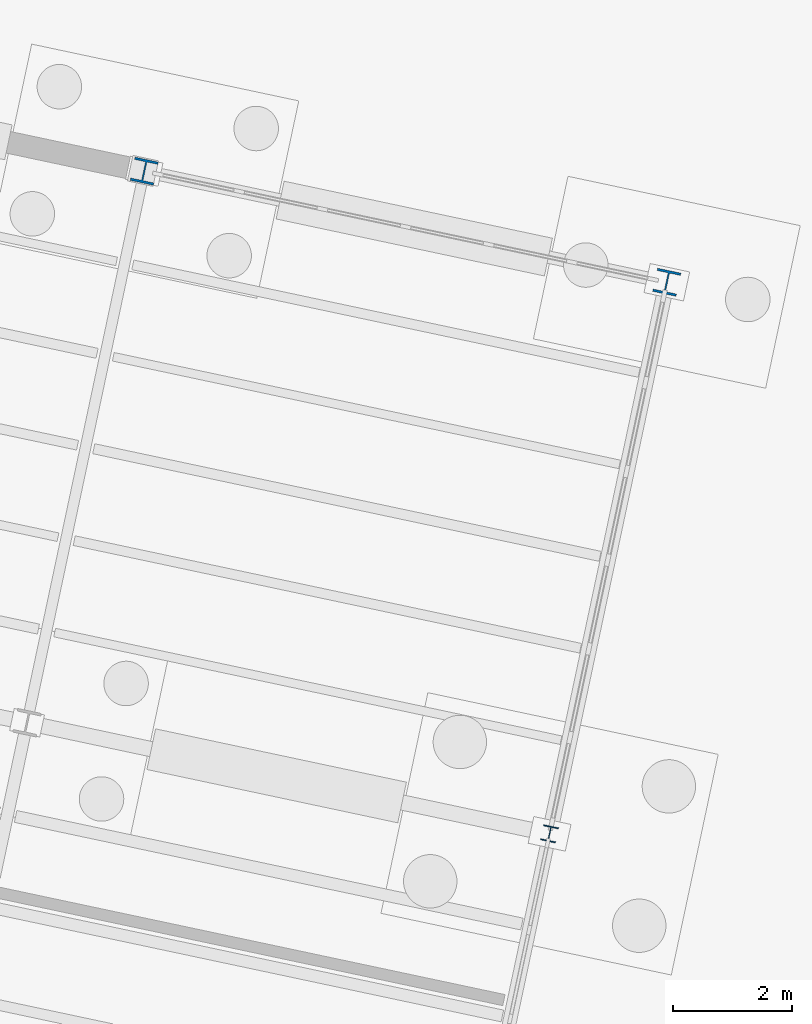
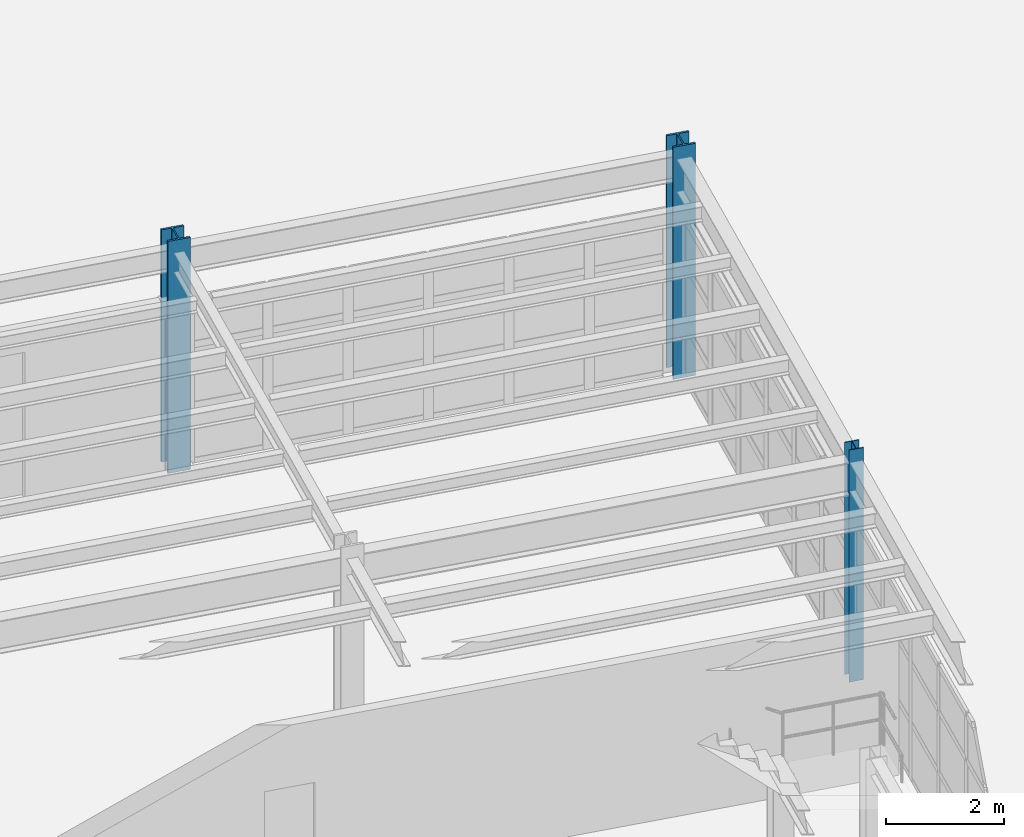
# One storey, part 29 of 108: 3 columns.
"""IFC4 building model written with IfcOpenShell, lengths in metres."""

from ifc_helpers import new_model, si_unit, direction, frame, origin, origin_2d, place, context, subcontext, project, spatial, i_section, extrude, material, material_profile, profile_set, type_object, element, save


model = new_model("IFC4")

# Units and contexts
model_context = context("Model", 3, precision=1e-05, world=origin(), true_north=direction((0.0, 1.0)))
body_context = subcontext(model_context, "Body", "Model", "MODEL_VIEW")
ifc_project = project(units=[si_unit("LENGTHUNIT", "METRE"), si_unit("AREAUNIT", "SQUARE_METRE"), si_unit("VOLUMEUNIT", "CUBIC_METRE"), si_unit("PLANEANGLEUNIT", "RADIAN"), si_unit("MASSUNIT", "GRAM", prefix="KILO")], contexts=[model_context])

# Site, building, storey
site_placement = place(None, origin())
site = spatial("IfcSite", under=ifc_project, at=site_placement, CompositionType="ELEMENT")
building_placement = place(site_placement, origin())
building = spatial("IfcBuilding", under=site, at=building_placement, Name="Vireo Bluff Cable Station", CompositionType="ELEMENT")
storey_placement = place(building_placement, origin())
storey = spatial("IfcBuildingStorey", under=building, at=storey_placement, Name="L00", CompositionType="ELEMENT", Elevation=0.0)

# Columns
ifc_material = material(Name="Steel ASTM A992 Gr. 50", Category="steel")
ifc_material_profile_1 = material_profile(ifc_material, i_section(OverallWidth=0.40087890625, OverallDepth=0.39892578125, WebThickness=0.02490234375, FlangeThickness=0.03955078125, FilletRadius=0.014892578125, at=origin_2d()), Name="W14X211")
ifc_profile_set_1 = profile_set([ifc_material_profile_1], Name="Steel ASTM A992 Gr. 50")
column_type_1 = type_object("IfcColumnType", Name="ECOL-W14X211", PredefinedType="COLUMN", material=ifc_profile_set_1)
for number, where, z_axis, x_axis, name in (
    (1, (151.556884765625, 24.84228515625, 0.0), (0.0, 0.0, 1.0), (0.978147600734, -0.207911690818, 0.0), "V5E L00 column 399"),
    (2, (160.3603515625, 22.97119140625, 0.0), (0.0, 0.0, 1.0), (0.978147600734, -0.207911690818, 0.0), "V5E L00 column 405"),
):
    element("IfcColumn", number, at=place(storey_placement, frame(where, z_axis=z_axis, x_axis=x_axis)), inside=storey, type_object=column_type_1, Name=name, PredefinedType="COLUMN", context=body_context, shape_type="SweptSolid", body=[
        extrude(i_section(OverallWidth=0.40087890625, OverallDepth=0.39892578125, WebThickness=0.02490234375, FlangeThickness=0.03955078125, FilletRadius=0.014892578125, at=origin_2d()), origin(), (0.0, 0.0, 1.0), 4.800048828125),
    ])
ifc_material_profile_2 = material_profile(ifc_material, i_section(OverallWidth=0.2548828125, OverallDepth=0.256103515625, WebThickness=0.009521484375, FlangeThickness=0.015625, FilletRadius=0.009033203125, at=origin_2d()), Name="W10X54")
ifc_profile_set_2 = profile_set([ifc_material_profile_2], Name="Steel ASTM A992 Gr. 50")
column_type_2 = type_object("IfcColumnType", Name="PIL-W10X54", PredefinedType="PILASTER", material=ifc_profile_set_2)
column_placement = place(storey_placement, frame((158.38525390625, 13.6787109375, 0.0), z_axis=(0.0, 0.0, 1.0), x_axis=(0.978147600734, -0.207911690818, 0.0)))
element("IfcColumn", 3, at=column_placement, inside=storey, type_object=column_type_2, Name="V5E L00 column 403", PredefinedType="PILASTER", context=body_context, shape_type="SweptSolid", body=[
    extrude(i_section(OverallWidth=0.2548828125, OverallDepth=0.256103515625, WebThickness=0.009521484375, FlangeThickness=0.015625, FilletRadius=0.009033203125, at=origin_2d()), origin(), (0.0, 0.0, 1.0), 4.800048828125),
])

save(model, "model.ifc")
